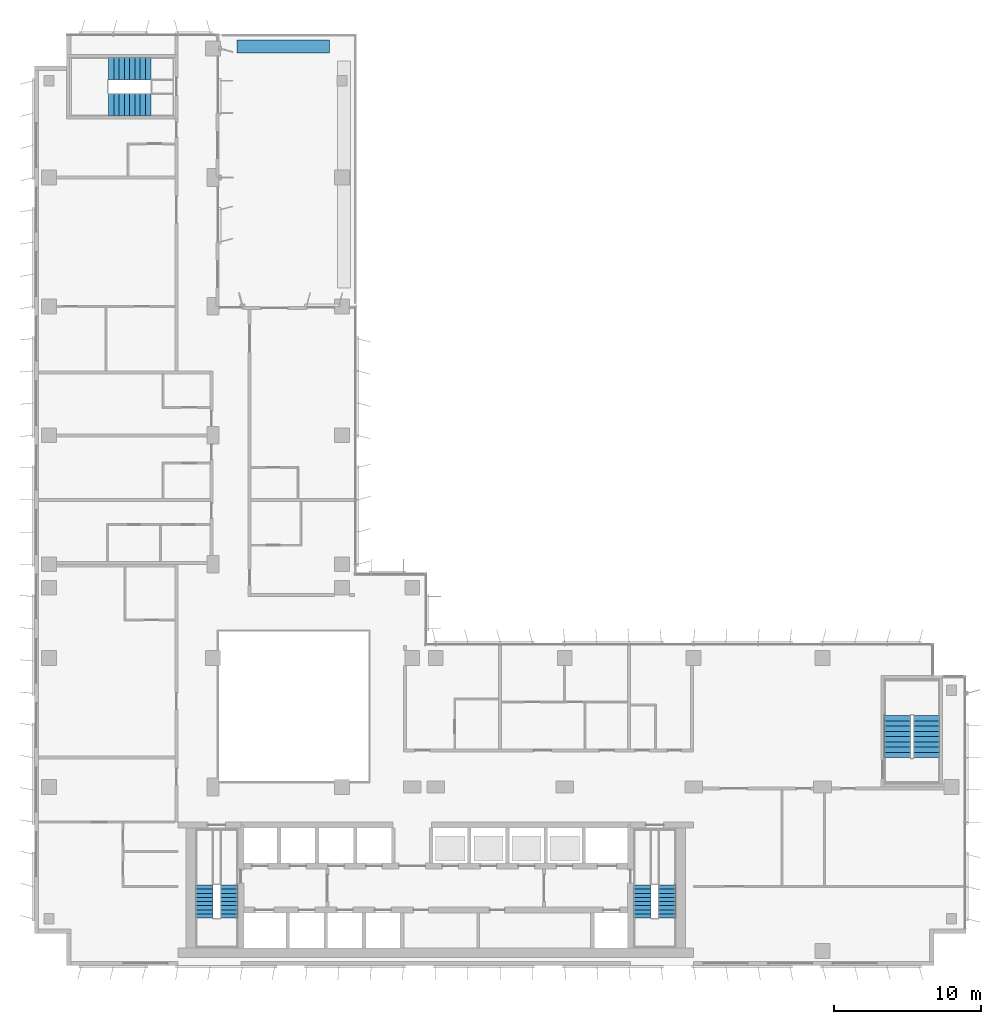
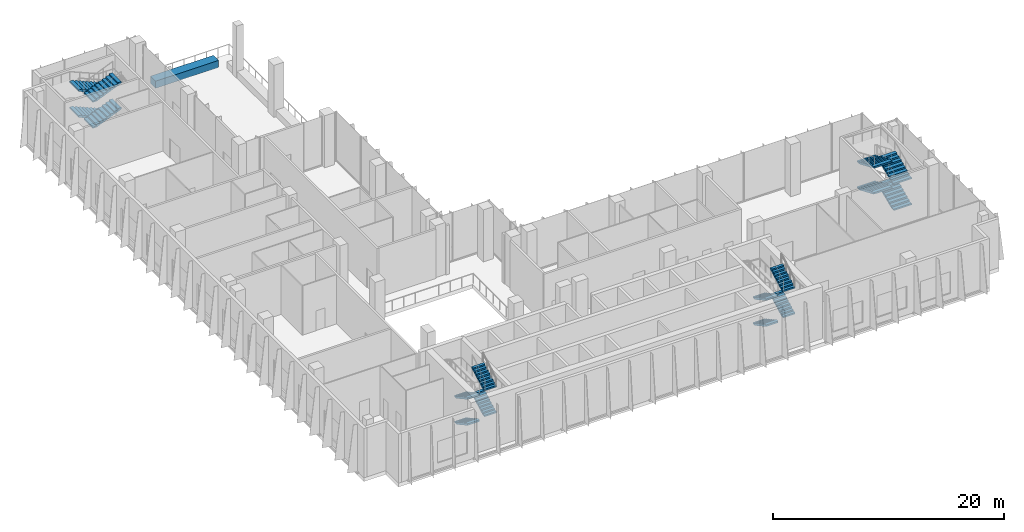
# One storey, part 18 of 24: 16 stair flights, 1 wall, 4 elements without a shape of their own.
"""IFC4 building model written with IfcOpenShell, lengths in metres."""

from ifc_helpers import new_model, si_unit, direction, frame, frame_2d, origin, place, context, subcontext, project, spatial, polyline, rectangle, outline, extrude, material, layer, layer_set, type_object, element, aggregate, save


model = new_model("IFC4")

# Units and contexts
model_context = context("Model", 3, precision=1e-05, world=origin(), true_north=direction((0.0, 1.0)))
body_context = subcontext(model_context, "Body", "Model", "MODEL_VIEW")
ifc_project = project(units=[si_unit("LENGTHUNIT", "METRE"), si_unit("AREAUNIT", "SQUARE_METRE"), si_unit("VOLUMEUNIT", "CUBIC_METRE"), si_unit("PLANEANGLEUNIT", "RADIAN"), si_unit("MASSUNIT", "GRAM", prefix="KILO")], contexts=[model_context])

# Site, building, storey
site_placement = place(None, origin())
site = spatial("IfcSite", under=ifc_project, at=site_placement, CompositionType="ELEMENT")
building_placement = place(site_placement, origin())
building = spatial("IfcBuilding", under=site, at=building_placement, Name="Kemantara Hotel Tower", CompositionType="ELEMENT")
storey_placement = place(building_placement, frame((0.0, 0.0, 202.5)))
storey = spatial("IfcBuildingStorey", under=building, at=storey_placement, Name="L50", CompositionType="ELEMENT", Elevation=202.5)

# Wall
ifc_material_1 = material(Name="Concrete K-350 (fc 29 MPa)", Category="concrete")
ifc_layer = layer(ifc_material_1, 0.89990234375)
ifc_layer_set = layer_set([ifc_layer], Name="Concrete K-350 (fc 29 MPa)")
wall_type = type_object("IfcWallType", Name="PLANTER, RAISED CONCRETE TROUGH 900x700", PredefinedType="STANDARD", material=ifc_layer_set)
wall_placement = place(storey_placement, frame((13.85009765625, 62.75, -0.050048828125), z_axis=(0.0, 0.0, 1.0), x_axis=(1.0, 0.0, 0.0)))
element("IfcWall", 1, at=wall_placement, inside=storey, type_object=wall_type, Name="PLANTER TERRACE-SPA-1.1", PredefinedType="STANDARD", context=body_context, shape_type="SweptSolid", body=[
    extrude(rectangle(XDim=6.2998046875, YDim=0.89990234375, at=frame_2d((3.14990234375, 0.0))), origin(), (0.0, 0.0, 1.0), 0.75),
])

# Stair, stair flights
ifc_material_2 = material(Name="Concrete fc 40 MPa", Category="concrete")
stair_type_1 = type_object("IfcStairType", Name="Stair 1200 wide 36 risers of 153 x 280 mm", PredefinedType="HALF_TURN_STAIR", material=ifc_material_2)
stair_1_placement = place(storey_placement, origin())
stair_1 = element("IfcStair", 2, at=stair_1_placement, inside=storey, type_object=stair_type_1, Name="L50 Exit stair ST1", PredefinedType="HALF_TURN_STAIR")
stair_flight_type_1 = type_object("IfcStairFlightType", Name="Stair flight 1200 wide 153 x 280 mm", PredefinedType="STRAIGHT", material=ifc_material_2)
stair_flight_1_placement = place(storey_placement, frame((11.60009765625, 5.5, 0.0), z_axis=(0.0, 0.0, 1.0), x_axis=(0.0, -1.0, 0.0)))
stair_flight_1 = element("IfcStairFlight", 3, at=stair_flight_1_placement, type_object=stair_flight_type_1, Name="ST1 flight 1", NumberOfRisers=9, NumberOfTreads=8, PredefinedType="STRAIGHT", RiserHeight=0.152777778, TreadLength=0.28, context=body_context, shape_type="SweptSolid", body=[
    extrude(outline(polyline([(0.0, 0.0), (0.0, 0.15283203125), (0.280029296875, 0.15283203125), (0.280029296875, 0.3056640625), (0.56005859375, 0.3056640625), (0.56005859375, 0.458251953125), (0.840087890625, 0.458251953125), (0.840087890625, 0.611083984375), (1.1201171875, 0.611083984375), (1.1201171875, 0.763916015625), (1.39990234375, 0.763916015625), (1.39990234375, 0.916748046875), (1.679931640625, 0.916748046875), (1.679931640625, 1.0693359375), (1.9599609375, 1.0693359375), (1.9599609375, 1.22216796875), (2.239990234375, 1.22216796875), (2.239990234375, 1.375), (2.239990234375, 1.051513671875), (0.31298828125, 0.0), (0.0, 0.0)])), frame((0.0, 0.60009765625, 0.0), z_axis=(0.0, -1.0, 0.0), x_axis=(1.0, 0.0, 0.0)), (0.0, 0.0, 1.0), 1.199951171875),
])
stair_flight_2_placement = place(storey_placement, frame((13.300048828125, 3.260009765625, 1.375), z_axis=(0.0, 0.0, 1.0), x_axis=(0.0, 1.0, 0.0)))
stair_flight_2 = element("IfcStairFlight", 4, at=stair_flight_2_placement, type_object=stair_flight_type_1, Name="ST1 flight 2", NumberOfRisers=9, NumberOfTreads=8, PredefinedType="STRAIGHT", RiserHeight=0.152777778, TreadLength=0.28, context=body_context, shape_type="SweptSolid", body=[
    extrude(outline(polyline([(0.0, 0.0), (0.0, 0.15283203125), (0.280029296875, 0.15283203125), (0.280029296875, 0.3056640625), (0.56005859375, 0.3056640625), (0.56005859375, 0.458251953125), (0.840087890625, 0.458251953125), (0.840087890625, 0.611083984375), (1.1201171875, 0.611083984375), (1.1201171875, 0.763916015625), (1.39990234375, 0.763916015625), (1.39990234375, 0.916748046875), (1.679931640625, 0.916748046875), (1.679931640625, 1.0693359375), (1.9599609375, 1.0693359375), (1.9599609375, 1.22216796875), (2.239990234375, 1.22216796875), (2.239990234375, 1.375), (2.239990234375, 1.051513671875), (0.31298828125, 0.0), (0.0, 0.0)])), frame((0.0, 0.60009765625, 0.0), z_axis=(0.0, -1.0, 0.0), x_axis=(1.0, 0.0, 0.0)), (0.0, 0.0, 1.0), 1.199951171875),
])
stair_flight_3_placement = place(storey_placement, frame((11.60009765625, 5.5, 2.75), z_axis=(0.0, 0.0, 1.0), x_axis=(0.0, -1.0, 0.0)))
stair_flight_3 = element("IfcStairFlight", 5, at=stair_flight_3_placement, type_object=stair_flight_type_1, Name="ST1 flight 3", NumberOfRisers=9, NumberOfTreads=8, PredefinedType="STRAIGHT", RiserHeight=0.152777778, TreadLength=0.28, context=body_context, shape_type="SweptSolid", body=[
    extrude(outline(polyline([(0.0, 0.0), (0.0, 0.15283203125), (0.280029296875, 0.15283203125), (0.280029296875, 0.3056640625), (0.56005859375, 0.3056640625), (0.56005859375, 0.458251953125), (0.840087890625, 0.458251953125), (0.840087890625, 0.611083984375), (1.1201171875, 0.611083984375), (1.1201171875, 0.763916015625), (1.39990234375, 0.763916015625), (1.39990234375, 0.916748046875), (1.679931640625, 0.916748046875), (1.679931640625, 1.0693359375), (1.9599609375, 1.0693359375), (1.9599609375, 1.22216796875), (2.239990234375, 1.22216796875), (2.239990234375, 1.375), (2.239990234375, 1.051513671875), (0.31298828125, 0.0), (0.0, 0.0)])), frame((0.0, 0.60009765625, 0.0), z_axis=(0.0, -1.0, 0.0), x_axis=(1.0, 0.0, 0.0)), (0.0, 0.0, 1.0), 1.199951171875),
])
stair_flight_4_placement = place(storey_placement, frame((13.300048828125, 3.260009765625, 4.125), z_axis=(0.0, 0.0, 1.0), x_axis=(0.0, 1.0, 0.0)))
stair_flight_4 = element("IfcStairFlight", 6, at=stair_flight_4_placement, type_object=stair_flight_type_1, Name="ST1 flight 4", NumberOfRisers=9, NumberOfTreads=8, PredefinedType="STRAIGHT", RiserHeight=0.152777778, TreadLength=0.28, context=body_context, shape_type="SweptSolid", body=[
    extrude(outline(polyline([(0.0, 0.0), (0.0, 0.15283203125), (0.280029296875, 0.15283203125), (0.280029296875, 0.3056640625), (0.56005859375, 0.3056640625), (0.56005859375, 0.458251953125), (0.840087890625, 0.458251953125), (0.840087890625, 0.611083984375), (1.1201171875, 0.611083984375), (1.1201171875, 0.763916015625), (1.39990234375, 0.763916015625), (1.39990234375, 0.916748046875), (1.679931640625, 0.916748046875), (1.679931640625, 1.0693359375), (1.9599609375, 1.0693359375), (1.9599609375, 1.22216796875), (2.239990234375, 1.22216796875), (2.239990234375, 1.375), (2.239990234375, 1.051513671875), (0.31298828125, 0.0), (0.0, 0.0)])), frame((0.0, 0.60009765625, 0.0), z_axis=(0.0, -1.0, 0.0), x_axis=(1.0, 0.0, 0.0)), (0.0, 0.0, 1.0), 1.199951171875),
])
aggregate(stair_1, [stair_flight_1, stair_flight_2, stair_flight_3, stair_flight_4])

stair_2_placement = place(storey_placement, origin())
stair_2 = element("IfcStair", 7, at=stair_2_placement, inside=storey, type_object=stair_type_1, Name="L50 Exit stair ST2", PredefinedType="HALF_TURN_STAIR")
stair_flight_5_placement = place(storey_placement, frame((41.5, 5.5, 0.0), z_axis=(0.0, 0.0, 1.0), x_axis=(0.0, -1.0, 0.0)))
stair_flight_5 = element("IfcStairFlight", 8, at=stair_flight_5_placement, type_object=stair_flight_type_1, Name="ST2 flight 1", NumberOfRisers=9, NumberOfTreads=8, PredefinedType="STRAIGHT", RiserHeight=0.152777778, TreadLength=0.28, context=body_context, shape_type="SweptSolid", body=[
    extrude(outline(polyline([(0.0, 0.0), (0.0, 0.15283203125), (0.280029296875, 0.15283203125), (0.280029296875, 0.3056640625), (0.56005859375, 0.3056640625), (0.56005859375, 0.458251953125), (0.840087890625, 0.458251953125), (0.840087890625, 0.611083984375), (1.1201171875, 0.611083984375), (1.1201171875, 0.763916015625), (1.39990234375, 0.763916015625), (1.39990234375, 0.916748046875), (1.679931640625, 0.916748046875), (1.679931640625, 1.0693359375), (1.9599609375, 1.0693359375), (1.9599609375, 1.22216796875), (2.239990234375, 1.22216796875), (2.239990234375, 1.375), (2.239990234375, 1.051513671875), (0.31298828125, 0.0), (0.0, 0.0)])), frame((0.0, 0.60009765625, 0.0), z_axis=(0.0, -1.0, 0.0), x_axis=(1.0, 0.0, 0.0)), (0.0, 0.0, 1.0), 1.199951171875),
])
stair_flight_6_placement = place(storey_placement, frame((43.199951171875, 3.260009765625, 1.375), z_axis=(0.0, 0.0, 1.0), x_axis=(0.0, 1.0, 0.0)))
stair_flight_6 = element("IfcStairFlight", 9, at=stair_flight_6_placement, type_object=stair_flight_type_1, Name="ST2 flight 2", NumberOfRisers=9, NumberOfTreads=8, PredefinedType="STRAIGHT", RiserHeight=0.152777778, TreadLength=0.28, context=body_context, shape_type="SweptSolid", body=[
    extrude(outline(polyline([(0.0, 0.0), (0.0, 0.15283203125), (0.280029296875, 0.15283203125), (0.280029296875, 0.3056640625), (0.56005859375, 0.3056640625), (0.56005859375, 0.458251953125), (0.840087890625, 0.458251953125), (0.840087890625, 0.611083984375), (1.1201171875, 0.611083984375), (1.1201171875, 0.763916015625), (1.39990234375, 0.763916015625), (1.39990234375, 0.916748046875), (1.679931640625, 0.916748046875), (1.679931640625, 1.0693359375), (1.9599609375, 1.0693359375), (1.9599609375, 1.22216796875), (2.239990234375, 1.22216796875), (2.239990234375, 1.375), (2.239990234375, 1.051513671875), (0.31298828125, 0.0), (0.0, 0.0)])), frame((0.0, 0.60009765625, 0.0), z_axis=(0.0, -1.0, 0.0), x_axis=(1.0, 0.0, 0.0)), (0.0, 0.0, 1.0), 1.199951171875),
])
stair_flight_7_placement = place(storey_placement, frame((41.5, 5.5, 2.75), z_axis=(0.0, 0.0, 1.0), x_axis=(0.0, -1.0, 0.0)))
stair_flight_7 = element("IfcStairFlight", 10, at=stair_flight_7_placement, type_object=stair_flight_type_1, Name="ST2 flight 3", NumberOfRisers=9, NumberOfTreads=8, PredefinedType="STRAIGHT", RiserHeight=0.152777778, TreadLength=0.28, context=body_context, shape_type="SweptSolid", body=[
    extrude(outline(polyline([(0.0, 0.0), (0.0, 0.15283203125), (0.280029296875, 0.15283203125), (0.280029296875, 0.3056640625), (0.56005859375, 0.3056640625), (0.56005859375, 0.458251953125), (0.840087890625, 0.458251953125), (0.840087890625, 0.611083984375), (1.1201171875, 0.611083984375), (1.1201171875, 0.763916015625), (1.39990234375, 0.763916015625), (1.39990234375, 0.916748046875), (1.679931640625, 0.916748046875), (1.679931640625, 1.0693359375), (1.9599609375, 1.0693359375), (1.9599609375, 1.22216796875), (2.239990234375, 1.22216796875), (2.239990234375, 1.375), (2.239990234375, 1.051513671875), (0.31298828125, 0.0), (0.0, 0.0)])), frame((0.0, 0.60009765625, 0.0), z_axis=(0.0, -1.0, 0.0), x_axis=(1.0, 0.0, 0.0)), (0.0, 0.0, 1.0), 1.199951171875),
])
stair_flight_8_placement = place(storey_placement, frame((43.199951171875, 3.260009765625, 4.125), z_axis=(0.0, 0.0, 1.0), x_axis=(0.0, 1.0, 0.0)))
stair_flight_8 = element("IfcStairFlight", 11, at=stair_flight_8_placement, type_object=stair_flight_type_1, Name="ST2 flight 4", NumberOfRisers=9, NumberOfTreads=8, PredefinedType="STRAIGHT", RiserHeight=0.152777778, TreadLength=0.28, context=body_context, shape_type="SweptSolid", body=[
    extrude(outline(polyline([(0.0, 0.0), (0.0, 0.15283203125), (0.280029296875, 0.15283203125), (0.280029296875, 0.3056640625), (0.56005859375, 0.3056640625), (0.56005859375, 0.458251953125), (0.840087890625, 0.458251953125), (0.840087890625, 0.611083984375), (1.1201171875, 0.611083984375), (1.1201171875, 0.763916015625), (1.39990234375, 0.763916015625), (1.39990234375, 0.916748046875), (1.679931640625, 0.916748046875), (1.679931640625, 1.0693359375), (1.9599609375, 1.0693359375), (1.9599609375, 1.22216796875), (2.239990234375, 1.22216796875), (2.239990234375, 1.375), (2.239990234375, 1.051513671875), (0.31298828125, 0.0), (0.0, 0.0)])), frame((0.0, 0.60009765625, 0.0), z_axis=(0.0, -1.0, 0.0), x_axis=(1.0, 0.0, 0.0)), (0.0, 0.0, 1.0), 1.199951171875),
])
aggregate(stair_2, [stair_flight_5, stair_flight_6, stair_flight_7, stair_flight_8])

stair_type_2 = type_object("IfcStairType", Name="Stair 1550 wide 36 risers of 153 x 360 mm", PredefinedType="HALF_TURN_STAIR", material=ifc_material_2)
stair_3_placement = place(storey_placement, origin())
stair_3 = element("IfcStair", 12, at=stair_3_placement, inside=storey, type_object=stair_type_2, Name="L50 Exit stair ST4", PredefinedType="HALF_TURN_STAIR")
stair_flight_type_2 = type_object("IfcStairFlightType", Name="Stair flight 1550 wide 153 x 360 mm", PredefinedType="STRAIGHT", material=ifc_material_2)
stair_flight_9_placement = place(storey_placement, frame((7.949951171875, 61.22509765625, 0.0), z_axis=(0.0, 0.0, 1.0), x_axis=(-1.0, 0.0, 0.0)))
stair_flight_9 = element("IfcStairFlight", 13, at=stair_flight_9_placement, type_object=stair_flight_type_2, Name="ST4 flight 1", NumberOfRisers=9, NumberOfTreads=8, PredefinedType="STRAIGHT", RiserHeight=0.152777778, TreadLength=0.36, context=body_context, shape_type="SweptSolid", body=[
    extrude(outline(polyline([(0.0, 0.0), (0.0, 0.15283203125), (0.360107421875, 0.15283203125), (0.360107421875, 0.3056640625), (0.719970703125, 0.3056640625), (0.719970703125, 0.458251953125), (1.080078125, 0.458251953125), (1.080078125, 0.611083984375), (1.43994140625, 0.611083984375), (1.43994140625, 0.763916015625), (1.800048828125, 0.763916015625), (1.800048828125, 0.916748046875), (2.159912109375, 0.916748046875), (2.159912109375, 1.0693359375), (2.52001953125, 1.0693359375), (2.52001953125, 1.22216796875), (2.8798828125, 1.22216796875), (2.8798828125, 1.375), (2.8798828125, 1.059326171875), (0.3837890625, 0.0), (0.0, 0.0)])), frame((0.0, 0.77490234375, 0.0), z_axis=(0.0, -1.0, 0.0), x_axis=(1.0, 0.0, 0.0)), (0.0, 0.0, 1.0), 1.550048828125),
])
stair_flight_10_placement = place(storey_placement, frame((5.070068359375, 58.77490234375, 1.375), z_axis=(0.0, 0.0, 1.0), x_axis=(1.0, 0.0, 0.0)))
stair_flight_10 = element("IfcStairFlight", 14, at=stair_flight_10_placement, type_object=stair_flight_type_2, Name="ST4 flight 2", NumberOfRisers=9, NumberOfTreads=8, PredefinedType="STRAIGHT", RiserHeight=0.152777778, TreadLength=0.36, context=body_context, shape_type="SweptSolid", body=[
    extrude(outline(polyline([(0.0, 0.0), (0.0, 0.15283203125), (0.360107421875, 0.15283203125), (0.360107421875, 0.3056640625), (0.719970703125, 0.3056640625), (0.719970703125, 0.458251953125), (1.080078125, 0.458251953125), (1.080078125, 0.611083984375), (1.43994140625, 0.611083984375), (1.43994140625, 0.763916015625), (1.800048828125, 0.763916015625), (1.800048828125, 0.916748046875), (2.159912109375, 0.916748046875), (2.159912109375, 1.0693359375), (2.52001953125, 1.0693359375), (2.52001953125, 1.22216796875), (2.8798828125, 1.22216796875), (2.8798828125, 1.375), (2.8798828125, 1.059326171875), (0.3837890625, 0.0), (0.0, 0.0)])), frame((0.0, 0.77490234375, 0.0), z_axis=(0.0, -1.0, 0.0), x_axis=(1.0, 0.0, 0.0)), (0.0, 0.0, 1.0), 1.550048828125),
])
stair_flight_11_placement = place(storey_placement, frame((7.949951171875, 61.22509765625, 2.75), z_axis=(0.0, 0.0, 1.0), x_axis=(-1.0, 0.0, 0.0)))
stair_flight_11 = element("IfcStairFlight", 15, at=stair_flight_11_placement, type_object=stair_flight_type_2, Name="ST4 flight 3", NumberOfRisers=9, NumberOfTreads=8, PredefinedType="STRAIGHT", RiserHeight=0.152777778, TreadLength=0.36, context=body_context, shape_type="SweptSolid", body=[
    extrude(outline(polyline([(0.0, 0.0), (0.0, 0.15283203125), (0.360107421875, 0.15283203125), (0.360107421875, 0.3056640625), (0.719970703125, 0.3056640625), (0.719970703125, 0.458251953125), (1.080078125, 0.458251953125), (1.080078125, 0.611083984375), (1.43994140625, 0.611083984375), (1.43994140625, 0.763916015625), (1.800048828125, 0.763916015625), (1.800048828125, 0.916748046875), (2.159912109375, 0.916748046875), (2.159912109375, 1.0693359375), (2.52001953125, 1.0693359375), (2.52001953125, 1.22216796875), (2.8798828125, 1.22216796875), (2.8798828125, 1.375), (2.8798828125, 1.059326171875), (0.3837890625, 0.0), (0.0, 0.0)])), frame((0.0, 0.77490234375, 0.0), z_axis=(0.0, -1.0, 0.0), x_axis=(1.0, 0.0, 0.0)), (0.0, 0.0, 1.0), 1.550048828125),
])
stair_flight_12_placement = place(storey_placement, frame((5.070068359375, 58.77490234375, 4.125), z_axis=(0.0, 0.0, 1.0), x_axis=(1.0, 0.0, 0.0)))
stair_flight_12 = element("IfcStairFlight", 16, at=stair_flight_12_placement, type_object=stair_flight_type_2, Name="ST4 flight 4", NumberOfRisers=9, NumberOfTreads=8, PredefinedType="STRAIGHT", RiserHeight=0.152777778, TreadLength=0.36, context=body_context, shape_type="SweptSolid", body=[
    extrude(outline(polyline([(0.0, 0.0), (0.0, 0.15283203125), (0.360107421875, 0.15283203125), (0.360107421875, 0.3056640625), (0.719970703125, 0.3056640625), (0.719970703125, 0.458251953125), (1.080078125, 0.458251953125), (1.080078125, 0.611083984375), (1.43994140625, 0.611083984375), (1.43994140625, 0.763916015625), (1.800048828125, 0.763916015625), (1.800048828125, 0.916748046875), (2.159912109375, 0.916748046875), (2.159912109375, 1.0693359375), (2.52001953125, 1.0693359375), (2.52001953125, 1.22216796875), (2.8798828125, 1.22216796875), (2.8798828125, 1.375), (2.8798828125, 1.059326171875), (0.3837890625, 0.0), (0.0, 0.0)])), frame((0.0, 0.77490234375, 0.0), z_axis=(0.0, -1.0, 0.0), x_axis=(1.0, 0.0, 0.0)), (0.0, 0.0, 1.0), 1.550048828125),
])
aggregate(stair_3, [stair_flight_9, stair_flight_10, stair_flight_11, stair_flight_12])

stair_type_3 = type_object("IfcStairType", Name="Stair 1800 wide 36 risers of 153 x 360 mm", PredefinedType="HALF_TURN_STAIR", material=ifc_material_2)
stair_4_placement = place(storey_placement, origin())
stair_4 = element("IfcStair", 17, at=stair_4_placement, inside=storey, type_object=stair_type_3, Name="L50 Exit stair ST3", PredefinedType="HALF_TURN_STAIR")
stair_flight_type_3 = type_object("IfcStairFlightType", Name="Stair flight 1800 wide 153 x 360 mm", PredefinedType="STRAIGHT", material=ifc_material_2)
stair_flight_13_placement = place(storey_placement, frame((60.89990234375, 14.199951171875, 0.0), z_axis=(0.0, 0.0, 1.0), x_axis=(0.0, 1.0, 0.0)))
stair_flight_13 = element("IfcStairFlight", 18, at=stair_flight_13_placement, type_object=stair_flight_type_3, Name="ST3 flight 1", NumberOfRisers=9, NumberOfTreads=8, PredefinedType="STRAIGHT", RiserHeight=0.152777778, TreadLength=0.36, context=body_context, shape_type="SweptSolid", body=[
    extrude(outline(polyline([(0.0, 0.0), (0.0, 0.15283203125), (0.360107421875, 0.15283203125), (0.360107421875, 0.3056640625), (0.719970703125, 0.3056640625), (0.719970703125, 0.458251953125), (1.080078125, 0.458251953125), (1.080078125, 0.611083984375), (1.43994140625, 0.611083984375), (1.43994140625, 0.763916015625), (1.800048828125, 0.763916015625), (1.800048828125, 0.916748046875), (2.159912109375, 0.916748046875), (2.159912109375, 1.0693359375), (2.52001953125, 1.0693359375), (2.52001953125, 1.22216796875), (2.8798828125, 1.22216796875), (2.8798828125, 1.375), (2.8798828125, 1.059326171875), (0.3837890625, 0.0), (0.0, 0.0)])), frame((0.0, 0.89990234375, 0.0), z_axis=(0.0, -1.0, 0.0), x_axis=(1.0, 0.0, 0.0)), (0.0, 0.0, 1.0), 1.800048828125),
])
stair_flight_14_placement = place(storey_placement, frame((58.89990234375, 17.080078125, 1.375), z_axis=(0.0, 0.0, 1.0), x_axis=(0.0, -1.0, 0.0)))
stair_flight_14 = element("IfcStairFlight", 19, at=stair_flight_14_placement, type_object=stair_flight_type_3, Name="ST3 flight 2", NumberOfRisers=9, NumberOfTreads=8, PredefinedType="STRAIGHT", RiserHeight=0.152777778, TreadLength=0.36, context=body_context, shape_type="SweptSolid", body=[
    extrude(outline(polyline([(0.0, 0.0), (0.0, 0.15283203125), (0.360107421875, 0.15283203125), (0.360107421875, 0.3056640625), (0.719970703125, 0.3056640625), (0.719970703125, 0.458251953125), (1.080078125, 0.458251953125), (1.080078125, 0.611083984375), (1.43994140625, 0.611083984375), (1.43994140625, 0.763916015625), (1.800048828125, 0.763916015625), (1.800048828125, 0.916748046875), (2.159912109375, 0.916748046875), (2.159912109375, 1.0693359375), (2.52001953125, 1.0693359375), (2.52001953125, 1.22216796875), (2.8798828125, 1.22216796875), (2.8798828125, 1.375), (2.8798828125, 1.059326171875), (0.3837890625, 0.0), (0.0, 0.0)])), frame((0.0, 0.89990234375, 0.0), z_axis=(0.0, -1.0, 0.0), x_axis=(1.0, 0.0, 0.0)), (0.0, 0.0, 1.0), 1.800048828125),
])
stair_flight_15_placement = place(storey_placement, frame((60.89990234375, 14.199951171875, 2.75), z_axis=(0.0, 0.0, 1.0), x_axis=(0.0, 1.0, 0.0)))
stair_flight_15 = element("IfcStairFlight", 20, at=stair_flight_15_placement, type_object=stair_flight_type_3, Name="ST3 flight 3", NumberOfRisers=9, NumberOfTreads=8, PredefinedType="STRAIGHT", RiserHeight=0.152777778, TreadLength=0.36, context=body_context, shape_type="SweptSolid", body=[
    extrude(outline(polyline([(0.0, 0.0), (0.0, 0.15283203125), (0.360107421875, 0.15283203125), (0.360107421875, 0.3056640625), (0.719970703125, 0.3056640625), (0.719970703125, 0.458251953125), (1.080078125, 0.458251953125), (1.080078125, 0.611083984375), (1.43994140625, 0.611083984375), (1.43994140625, 0.763916015625), (1.800048828125, 0.763916015625), (1.800048828125, 0.916748046875), (2.159912109375, 0.916748046875), (2.159912109375, 1.0693359375), (2.52001953125, 1.0693359375), (2.52001953125, 1.22216796875), (2.8798828125, 1.22216796875), (2.8798828125, 1.375), (2.8798828125, 1.059326171875), (0.3837890625, 0.0), (0.0, 0.0)])), frame((0.0, 0.89990234375, 0.0), z_axis=(0.0, -1.0, 0.0), x_axis=(1.0, 0.0, 0.0)), (0.0, 0.0, 1.0), 1.800048828125),
])
stair_flight_16_placement = place(storey_placement, frame((58.89990234375, 17.080078125, 4.125), z_axis=(0.0, 0.0, 1.0), x_axis=(0.0, -1.0, 0.0)))
stair_flight_16 = element("IfcStairFlight", 21, at=stair_flight_16_placement, type_object=stair_flight_type_3, Name="ST3 flight 4", NumberOfRisers=9, NumberOfTreads=8, PredefinedType="STRAIGHT", RiserHeight=0.152777778, TreadLength=0.36, context=body_context, shape_type="SweptSolid", body=[
    extrude(outline(polyline([(0.0, 0.0), (0.0, 0.15283203125), (0.360107421875, 0.15283203125), (0.360107421875, 0.3056640625), (0.719970703125, 0.3056640625), (0.719970703125, 0.458251953125), (1.080078125, 0.458251953125), (1.080078125, 0.611083984375), (1.43994140625, 0.611083984375), (1.43994140625, 0.763916015625), (1.800048828125, 0.763916015625), (1.800048828125, 0.916748046875), (2.159912109375, 0.916748046875), (2.159912109375, 1.0693359375), (2.52001953125, 1.0693359375), (2.52001953125, 1.22216796875), (2.8798828125, 1.22216796875), (2.8798828125, 1.375), (2.8798828125, 1.059326171875), (0.3837890625, 0.0), (0.0, 0.0)])), frame((0.0, 0.89990234375, 0.0), z_axis=(0.0, -1.0, 0.0), x_axis=(1.0, 0.0, 0.0)), (0.0, 0.0, 1.0), 1.800048828125),
])
aggregate(stair_4, [stair_flight_13, stair_flight_14, stair_flight_15, stair_flight_16])

save(model, "model.ifc")
